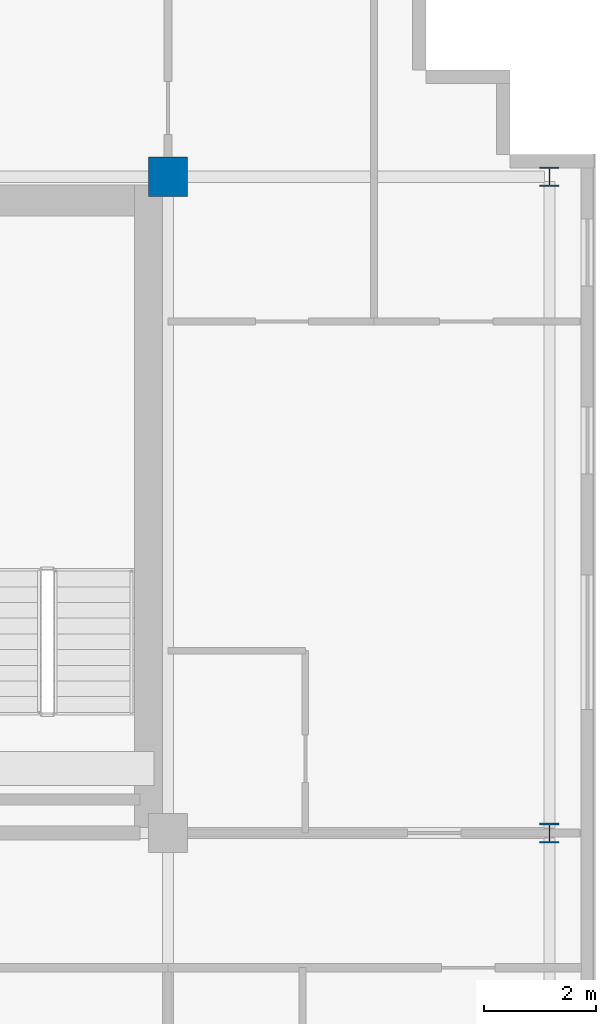
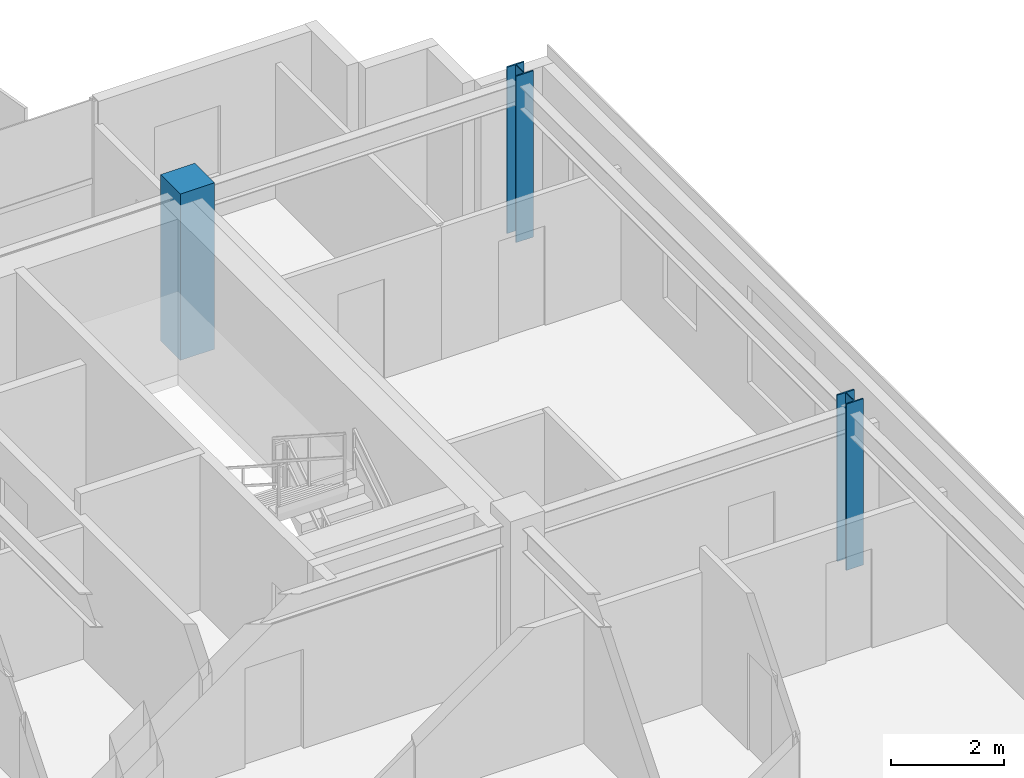
# One storey, part 4 of 23: 3 columns.
"""IFC4 building model written with IfcOpenShell, lengths in metres."""

from ifc_helpers import new_model, si_unit, direction, frame, origin, origin_2d, place, context, subcontext, project, spatial, rectangle, i_section, extrude, source, transform, mapped, material, material_profile, profile_set, type_object, element, save


model = new_model("IFC4")

# Units and contexts
model_context = context("Model", 3, precision=1e-05, world=origin(), true_north=direction((0.0, 1.0)))
body_context = subcontext(model_context, "Body", "Model", "MODEL_VIEW")
ifc_project = project(units=[si_unit("LENGTHUNIT", "METRE"), si_unit("AREAUNIT", "SQUARE_METRE"), si_unit("VOLUMEUNIT", "CUBIC_METRE"), si_unit("PLANEANGLEUNIT", "RADIAN"), si_unit("MASSUNIT", "GRAM", prefix="KILO")], contexts=[model_context])

# Site, building, storey
site_placement = place(None, origin())
site = spatial("IfcSite", under=ifc_project, at=site_placement, CompositionType="ELEMENT")
building_placement = place(site_placement, origin())
building = spatial("IfcBuilding", under=site, at=building_placement, Name="Trelvane Seafront Commons", CompositionType="ELEMENT")
storey_placement = place(building_placement, frame((0.0, 0.0, 226.5)))
storey = spatial("IfcBuildingStorey", under=building, at=storey_placement, Name="L59", CompositionType="ELEMENT", Elevation=226.5)

# Columns
ifc_material_1 = material(Name="Concrete C50/60", Category="concrete")
ifc_material_profile_1 = material_profile(ifc_material_1, rectangle(XDim=0.699951171875, YDim=0.699951171875, at=origin_2d()), Name="RC-700x700")
ifc_profile_set_1 = profile_set([ifc_material_profile_1], Name="Concrete C50/60")
column_type_1 = type_object("IfcColumnType", Name="STR-COL-RC700", PredefinedType="COLUMN", material=ifc_profile_set_1)
shared_shape_1 = source(origin(), body_context, "Body", "SweptSolid", [
    extrude(rectangle(XDim=0.699951171875, YDim=0.699951171875, at=origin_2d()), origin(), (0.0, 0.0, 1.0), 3.60009765625),
])
column_placement = place(storey_placement, frame((58.800048828125, 45.10009765625, 0.0), z_axis=(0.0, 0.0, 1.0), x_axis=(1.0, 0.0, 0.0)))
element("IfcColumn", 1, at=column_placement, inside=storey, type_object=column_type_1, Name="L59 Column TC-CN58.8", PredefinedType="COLUMN", context=body_context, shape_type="MappedRepresentation", body=[
    mapped(shared_shape_1, transform((0.0, 0.0, 0.0), x_axis=(1.0, 0.0, 0.0), y_axis=(0.0, 1.0, 0.0), z_axis=(0.0, 0.0, 1.0), scale=1.0)),
])
ifc_material_2 = material(Name="Steel SM355 (S355)", Category="steel")
ifc_material_profile_2 = material_profile(ifc_material_2, i_section(OverallWidth=0.35009765625, OverallDepth=0.35009765625, WebThickness=0.01806640625, FlangeThickness=0.028076171875, at=origin_2d()), Name="HD-350x350x18x28")
ifc_profile_set_2 = profile_set([ifc_material_profile_2], Name="Steel SM355 (S355)")
column_type_2 = type_object("IfcColumnType", Name="STR-COL-HD350", PredefinedType="COLUMN", material=ifc_profile_set_2)
shared_shape_2 = source(origin(), body_context, "Body", "SweptSolid", [
    extrude(i_section(OverallWidth=0.35009765625, OverallDepth=0.35009765625, WebThickness=0.01806640625, FlangeThickness=0.028076171875, at=origin_2d()), origin(), (0.0, 0.0, 1.0), 3.60009765625),
])
for number, where, z_axis, x_axis, name in (
    (2, (65.60009765625, 33.39990234375, 0.0), (0.0, 0.0, 1.0), (1.0, 0.0, 0.0), "L59 Column TC-CS65.6"),
    (3, (65.60009765625, 45.10009765625, 0.0), (0.0, 0.0, 1.0), (1.0, 0.0, 0.0), "L59 Column TC-CN65.6"),
):
    element("IfcColumn", number, at=place(storey_placement, frame(where, z_axis=z_axis, x_axis=x_axis)), inside=storey, type_object=column_type_2, Name=name, PredefinedType="COLUMN", context=body_context, shape_type="MappedRepresentation", body=[
        mapped(shared_shape_2, transform((0.0, 0.0, 0.0), x_axis=(1.0, 0.0, 0.0), y_axis=(0.0, 1.0, 0.0), z_axis=(0.0, 0.0, 1.0), scale=1.0)),
    ])

save(model, "model.ifc")
